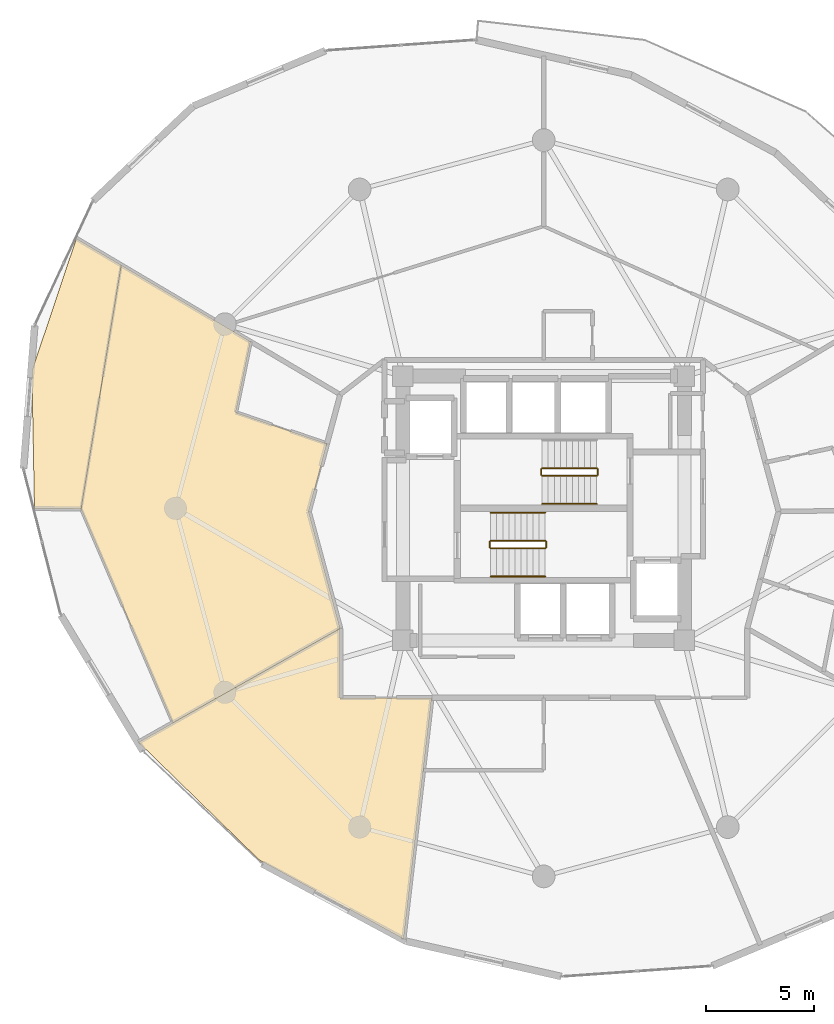
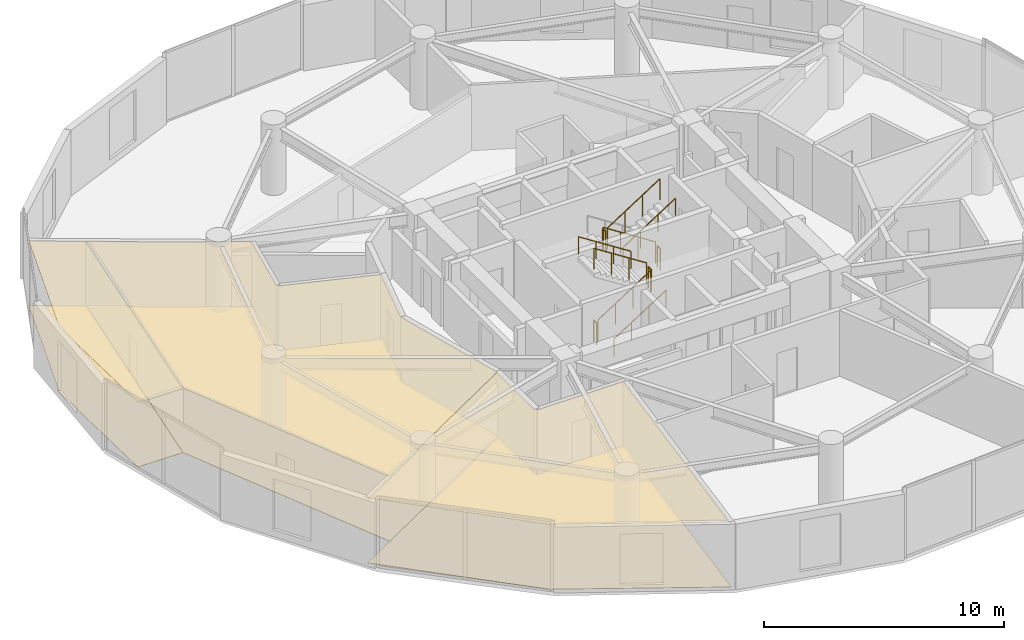
# One storey, part 24 of 25: 11 railings, 6 coverings.
"""IFC4 building model written with IfcOpenShell, lengths in metres."""

from ifc_helpers import new_model, si_unit, direction, frame, origin, origin_2d, place, context, subcontext, project, spatial, polyline, circle, outline, extrude, material, layer, layer_set, type_object, element, save


model = new_model("IFC4")

# Units and contexts
model_context = context("Model", 3, precision=1e-05, world=origin(), true_north=direction((0.0, 1.0)))
body_context = subcontext(model_context, "Body", "Model", "MODEL_VIEW")
ifc_project = project(units=[si_unit("LENGTHUNIT", "METRE"), si_unit("AREAUNIT", "SQUARE_METRE"), si_unit("VOLUMEUNIT", "CUBIC_METRE"), si_unit("PLANEANGLEUNIT", "RADIAN"), si_unit("MASSUNIT", "GRAM", prefix="KILO")], contexts=[model_context])

# Site, building, storey
site_placement = place(None, origin())
site = spatial("IfcSite", under=ifc_project, at=site_placement, CompositionType="ELEMENT")
building_placement = place(site_placement, origin())
building = spatial("IfcBuilding", under=site, at=building_placement, Name="Solvirekh Grand Hotel", CompositionType="ELEMENT")
storey_placement = place(building_placement, frame((0.0, 0.0, 120.60009765625)))
storey = spatial("IfcBuildingStorey", under=building, at=storey_placement, Name="L30", CompositionType="ELEMENT", Elevation=120.60009765625)

# Coverings
ifc_material_1 = material(Name="Acoustic Mineral Ceiling Tile")
ifc_layer_1 = layer(ifc_material_1, 0.02490234375)
ifc_layer_set_1 = layer_set([ifc_layer_1], Name="Acoustic Mineral Ceiling Tile")
covering_type_1 = type_object("IfcCoveringType", Name="Cov_Ceiling_Acoustic", PredefinedType="CEILING", material=ifc_layer_set_1)
covering_1_placement = place(storey_placement, frame((0.0, 0.0, 3.2998046875)))
element("IfcCovering", 1, at=covering_1_placement, inside=storey, type_object=covering_type_1, Name="L30 Executive Suite 3202 Living Room acoustic ceiling", PredefinedType="CEILING", context=body_context, shape_type="SweptSolid", body=[
    extrude(outline(polyline([(-14.218017578125, 4.425048828125), (-13.5380859375, 7.700927734375), (-19.508056640625, 11.23291015625), (-21.362060546875, -0.02587890625), (-17.126953125, -9.908935546875), (-9.39599609375, -5.550048828125), (-10.85009765625, -0.14990234375), (-10.007080078125, 2.98193359375), (-14.218017578125, 4.425048828125)])), origin(), (0.0, 0.0, 1.0), 0.01806640625),
])
covering_2_placement = place(storey_placement, frame((0.0, 0.0, 3.2998046875)))
element("IfcCovering", 2, at=covering_2_placement, inside=storey, type_object=covering_type_1, Name="L30 Executive Suite 3202 Master Bedroom acoustic ceiling", PredefinedType="CEILING", context=body_context, shape_type="SweptSolid", body=[
    extrude(outline(polyline([(-21.5791015625, 12.458984375), (-23.634033203125, 6.3330078125), (-23.514892578125, 0.0), (-21.362060546875, -0.02587890625), (-19.508056640625, 11.23291015625), (-21.5791015625, 12.458984375)])), origin(), (0.0, 0.0, 1.0), 0.01806640625),
])
covering_3_placement = place(storey_placement, frame((0.0, 0.0, 3.2998046875)))
element("IfcCovering", 3, at=covering_3_placement, inside=storey, type_object=covering_type_1, Name="L30 L30 Wellness Hydro Lounge acoustic ceiling", PredefinedType="CEILING", context=body_context, shape_type="SweptSolid", body=[
    extrude(outline(polyline([(-18.7099609375, -10.802001953125), (-13.14404296875, -16.23193359375), (-6.464111328125, -19.89501953125), (-5.16796875, -8.75), (-9.39599609375, -8.75), (-9.39599609375, -5.550048828125), (-18.7099609375, -10.802001953125)])), origin(), (0.0, 0.0, 1.0), 0.01806640625),
])
ifc_material_2 = material(Name="Porcelain Stoneware Flooring", Category="masonry")
ifc_layer_2 = layer(ifc_material_2, 0.030029296875)
ifc_layer_set_2 = layer_set([ifc_layer_2], Name="Porcelain Stoneware Flooring")
covering_type_2 = type_object("IfcCoveringType", Name="Cov_Floor_Stone", PredefinedType="FLOORING", material=ifc_layer_set_2)
covering_4_placement = place(storey_placement, origin())
element("IfcCovering", 4, at=covering_4_placement, inside=storey, type_object=covering_type_2, Name="L30 Executive Suite 3202 Living Room polished granite flooring", PredefinedType="FLOORING", context=body_context, shape_type="SweptSolid", body=[
    extrude(outline(polyline([(-14.218017578125, 4.425048828125), (-13.5380859375, 7.700927734375), (-19.508056640625, 11.23291015625), (-21.362060546875, -0.02587890625), (-17.126953125, -9.908935546875), (-9.39599609375, -5.550048828125), (-10.85009765625, -0.14990234375), (-10.007080078125, 2.98193359375), (-14.218017578125, 4.425048828125)])), origin(), (0.0, 0.0, 1.0), 0.02001953125),
])
covering_5_placement = place(storey_placement, origin())
element("IfcCovering", 5, at=covering_5_placement, inside=storey, type_object=covering_type_2, Name="L30 Executive Suite 3202 Master Bedroom polished granite flooring", PredefinedType="FLOORING", context=body_context, shape_type="SweptSolid", body=[
    extrude(outline(polyline([(-21.5791015625, 12.458984375), (-23.634033203125, 6.3330078125), (-23.514892578125, 0.0), (-21.362060546875, -0.02587890625), (-19.508056640625, 11.23291015625), (-21.5791015625, 12.458984375)])), origin(), (0.0, 0.0, 1.0), 0.02001953125),
])
covering_6_placement = place(storey_placement, origin())
element("IfcCovering", 6, at=covering_6_placement, inside=storey, type_object=covering_type_2, Name="L30 L30 Wellness Hydro Lounge polished granite flooring", PredefinedType="FLOORING", context=body_context, shape_type="SweptSolid", body=[
    extrude(outline(polyline([(-18.7099609375, -10.802001953125), (-13.14404296875, -16.23193359375), (-6.464111328125, -19.89501953125), (-5.16796875, -8.75), (-9.39599609375, -8.75), (-9.39599609375, -5.550048828125), (-18.7099609375, -10.802001953125)])), origin(), (0.0, 0.0, 1.0), 0.02001953125),
])

# Railings
ifc_material_3 = material(Name="Steel S355", Category="steel")
railing_type_1 = type_object("IfcRailingType", Name="Guard_Stair_1100", PredefinedType="GUARDRAIL", material=ifc_material_3)
railing_1_placement = place(storey_placement, frame((-2.449951171875, -1.85009765625, 0.179931640625)))
element("IfcRailing", 7, at=railing_1_placement, inside=storey, type_object=railing_type_1, Name="L30 ST-1 stair guard 1", PredefinedType="GUARDRAIL", context=body_context, shape_type="SweptSolid", body=[
    extrude(circle(Radius=0.02392578125, at=origin_2d()), frame((0.0, 0.0, 1.076171875), z_axis=(0.841199657755, 0.0, 0.540724639528), x_axis=(0.0, 1.0, 0.0)), (0.0, 0.0, 1.0), 2.995849609375),
    extrude(circle(Radius=0.02099609375, at=origin_2d()), origin(), (0.0, 0.0, 1.0), 1.052001953125),
    extrude(circle(Radius=0.02099609375, at=origin_2d()), frame((0.840087890625, 0.0, 0.5400390625)), (0.0, 0.0, 1.0), 1.052001953125),
    extrude(circle(Radius=0.02099609375, at=origin_2d()), frame((1.679931640625, 0.0, 1.079833984375)), (0.0, 0.0, 1.0), 1.052001953125),
    extrude(circle(Radius=0.02099609375, at=origin_2d()), frame((2.52001953125, 0.0, 1.619873046875)), (0.0, 0.0, 1.0), 1.052001953125),
])
railing_2_placement = place(storey_placement, frame((0.1201171875, -1.800048828125, 1.7998046875)))
element("IfcRailing", 8, at=railing_2_placement, inside=storey, type_object=railing_type_1, Name="L30 ST-1 stair guard 2", PredefinedType="GUARDRAIL", context=body_context, shape_type="SweptSolid", body=[
    extrude(circle(Radius=0.02392578125, at=origin_2d()), frame((0.0, 0.0, 1.076171875), z_axis=(0.0, 1.0, 0.0), x_axis=(-1.0, 0.0, 0.0)), (0.0, 0.0, 1.0), 0.25),
    extrude(circle(Radius=0.02099609375, at=origin_2d()), origin(), (0.0, 0.0, 1.0), 1.052001953125),
    extrude(circle(Radius=0.02099609375, at=origin_2d()), frame((0.0, 0.25, 0.0)), (0.0, 0.0, 1.0), 1.052001953125),
])
railing_3_placement = place(storey_placement, frame((0.070068359375, -1.5, 1.97998046875)))
element("IfcRailing", 9, at=railing_3_placement, inside=storey, type_object=railing_type_1, Name="L30 ST-1 stair guard 3", PredefinedType="GUARDRAIL", context=body_context, shape_type="SweptSolid", body=[
    extrude(circle(Radius=0.02392578125, at=origin_2d()), frame((0.0, 0.0, 1.076171875), z_axis=(-0.841199657755, 0.0, 0.540724639528), x_axis=(0.0, -1.0, 0.0)), (0.0, 0.0, 1.0), 2.995849609375),
    extrude(circle(Radius=0.02099609375, at=origin_2d()), origin(), (0.0, 0.0, 1.0), 1.052001953125),
    extrude(circle(Radius=0.02099609375, at=origin_2d()), frame((-0.840087890625, 0.0, 0.5400390625)), (0.0, 0.0, 1.0), 1.052001953125),
    extrude(circle(Radius=0.02099609375, at=origin_2d()), frame((-1.679931640625, 0.0, 1.079833984375)), (0.0, 0.0, 1.0), 1.052001953125),
    extrude(circle(Radius=0.02099609375, at=origin_2d()), frame((-2.52001953125, 0.0, 1.619873046875)), (0.0, 0.0, 1.0), 1.052001953125),
])
railing_4_placement = place(storey_placement, frame((-2.5, -1.800048828125, 0.0)))
element("IfcRailing", 10, at=railing_4_placement, inside=storey, type_object=railing_type_1, Name="L30 ST-1 stair guard 4", PredefinedType="GUARDRAIL", context=body_context, shape_type="SweptSolid", body=[
    extrude(circle(Radius=0.02392578125, at=origin_2d()), frame((0.0, 0.0, 1.076171875), z_axis=(0.0, 1.0, 0.0), x_axis=(-1.0, 0.0, 0.0)), (0.0, 0.0, 1.0), 0.25),
    extrude(circle(Radius=0.02099609375, at=origin_2d()), origin(), (0.0, 0.0, 1.0), 1.052001953125),
    extrude(circle(Radius=0.02099609375, at=origin_2d()), frame((0.0, 0.25, 0.0)), (0.0, 0.0, 1.0), 1.052001953125),
])
railing_5_placement = place(storey_placement, frame((2.449951171875, 1.85009765625, 0.179931640625)))
element("IfcRailing", 11, at=railing_5_placement, inside=storey, type_object=railing_type_1, Name="L30 ST-2 stair guard 1", PredefinedType="GUARDRAIL", context=body_context, shape_type="SweptSolid", body=[
    extrude(circle(Radius=0.02392578125, at=origin_2d()), frame((0.0, 0.0, 1.076171875), z_axis=(-0.841199657755, 0.0, 0.540724639528), x_axis=(0.0, -1.0, 0.0)), (0.0, 0.0, 1.0), 2.995849609375),
    extrude(circle(Radius=0.02099609375, at=origin_2d()), origin(), (0.0, 0.0, 1.0), 1.052001953125),
    extrude(circle(Radius=0.02099609375, at=origin_2d()), frame((-0.840087890625, 0.0, 0.5400390625)), (0.0, 0.0, 1.0), 1.052001953125),
    extrude(circle(Radius=0.02099609375, at=origin_2d()), frame((-1.679931640625, 0.0, 1.079833984375)), (0.0, 0.0, 1.0), 1.052001953125),
    extrude(circle(Radius=0.02099609375, at=origin_2d()), frame((-2.52001953125, 0.0, 1.619873046875)), (0.0, 0.0, 1.0), 1.052001953125),
])
railing_6_placement = place(storey_placement, frame((-0.1201171875, 1.800048828125, 1.7998046875)))
element("IfcRailing", 12, at=railing_6_placement, inside=storey, type_object=railing_type_1, Name="L30 ST-2 stair guard 2", PredefinedType="GUARDRAIL", context=body_context, shape_type="SweptSolid", body=[
    extrude(circle(Radius=0.02392578125, at=origin_2d()), frame((0.0, 0.0, 1.076171875), z_axis=(0.0, -1.0, 0.0), x_axis=(1.0, 0.0, 0.0)), (0.0, 0.0, 1.0), 0.25),
    extrude(circle(Radius=0.02099609375, at=origin_2d()), origin(), (0.0, 0.0, 1.0), 1.052001953125),
    extrude(circle(Radius=0.02099609375, at=origin_2d()), frame((0.0, -0.25, 0.0)), (0.0, 0.0, 1.0), 1.052001953125),
])
railing_7_placement = place(storey_placement, frame((-0.070068359375, 1.5, 1.97998046875)))
element("IfcRailing", 13, at=railing_7_placement, inside=storey, type_object=railing_type_1, Name="L30 ST-2 stair guard 3", PredefinedType="GUARDRAIL", context=body_context, shape_type="SweptSolid", body=[
    extrude(circle(Radius=0.02392578125, at=origin_2d()), frame((0.0, 0.0, 1.076171875), z_axis=(0.841199657755, 0.0, 0.540724639528), x_axis=(0.0, 1.0, 0.0)), (0.0, 0.0, 1.0), 2.995849609375),
    extrude(circle(Radius=0.02099609375, at=origin_2d()), origin(), (0.0, 0.0, 1.0), 1.052001953125),
    extrude(circle(Radius=0.02099609375, at=origin_2d()), frame((0.840087890625, 0.0, 0.5400390625)), (0.0, 0.0, 1.0), 1.052001953125),
    extrude(circle(Radius=0.02099609375, at=origin_2d()), frame((1.679931640625, 0.0, 1.079833984375)), (0.0, 0.0, 1.0), 1.052001953125),
    extrude(circle(Radius=0.02099609375, at=origin_2d()), frame((2.52001953125, 0.0, 1.619873046875)), (0.0, 0.0, 1.0), 1.052001953125),
])
railing_8_placement = place(storey_placement, frame((2.5, 1.800048828125, 0.0)))
element("IfcRailing", 14, at=railing_8_placement, inside=storey, type_object=railing_type_1, Name="L30 ST-2 stair guard 4", PredefinedType="GUARDRAIL", context=body_context, shape_type="SweptSolid", body=[
    extrude(circle(Radius=0.02392578125, at=origin_2d()), frame((0.0, 0.0, 1.076171875), z_axis=(0.0, -1.0, 0.0), x_axis=(1.0, 0.0, 0.0)), (0.0, 0.0, 1.0), 0.25),
    extrude(circle(Radius=0.02099609375, at=origin_2d()), origin(), (0.0, 0.0, 1.0), 1.052001953125),
    extrude(circle(Radius=0.02099609375, at=origin_2d()), frame((0.0, -0.25, 0.0)), (0.0, 0.0, 1.0), 1.052001953125),
])
ifc_material_4 = material(Name="Anodized Bronze Aluminium 6063-T6", Category="aluminium")
railing_type_2 = type_object("IfcRailingType", Name="Handrail_Wall_900", PredefinedType="HANDRAIL", material=ifc_material_4)
railing_9_placement = place(storey_placement, frame((-2.449951171875, -3.14990234375, 0.179931640625)))
element("IfcRailing", 15, at=railing_9_placement, inside=storey, type_object=railing_type_2, Name="L30 ST-1 stair handrail 1", PredefinedType="HANDRAIL", context=body_context, shape_type="SweptSolid", body=[
    extrude(circle(Radius=0.02392578125, at=origin_2d()), frame((0.0, 0.0, 0.8759765625), z_axis=(0.841199657755, 0.0, 0.540724639528), x_axis=(0.0, 1.0, 0.0)), (0.0, 0.0, 1.0), 2.995849609375),
    extrude(circle(Radius=0.02099609375, at=origin_2d()), origin(), (0.0, 0.0, 1.0), 0.851806640625),
    extrude(circle(Radius=0.02099609375, at=origin_2d()), frame((0.840087890625, 0.0, 0.5400390625)), (0.0, 0.0, 1.0), 0.851806640625),
    extrude(circle(Radius=0.02099609375, at=origin_2d()), frame((1.679931640625, 0.0, 1.079833984375)), (0.0, 0.0, 1.0), 0.851806640625),
    extrude(circle(Radius=0.02099609375, at=origin_2d()), frame((2.52001953125, 0.0, 1.619873046875)), (0.0, 0.0, 1.0), 0.851806640625),
])
railing_10_placement = place(storey_placement, frame((0.070068359375, -0.199951171875, 1.97998046875)))
element("IfcRailing", 16, at=railing_10_placement, inside=storey, type_object=railing_type_2, Name="L30 ST-1 stair handrail 2", PredefinedType="HANDRAIL", context=body_context, shape_type="SweptSolid", body=[
    extrude(circle(Radius=0.02392578125, at=origin_2d()), frame((0.0, 0.0, 0.8759765625), z_axis=(-0.841199657755, 0.0, 0.540724639528), x_axis=(0.0, -1.0, 0.0)), (0.0, 0.0, 1.0), 2.995849609375),
    extrude(circle(Radius=0.02099609375, at=origin_2d()), origin(), (0.0, 0.0, 1.0), 0.851806640625),
    extrude(circle(Radius=0.02099609375, at=origin_2d()), frame((-0.840087890625, 0.0, 0.5400390625)), (0.0, 0.0, 1.0), 0.851806640625),
    extrude(circle(Radius=0.02099609375, at=origin_2d()), frame((-1.679931640625, 0.0, 1.079833984375)), (0.0, 0.0, 1.0), 0.851806640625),
    extrude(circle(Radius=0.02099609375, at=origin_2d()), frame((-2.52001953125, 0.0, 1.619873046875)), (0.0, 0.0, 1.0), 0.851806640625),
])
railing_11_placement = place(storey_placement, frame((-0.070068359375, 0.199951171875, 1.97998046875)))
element("IfcRailing", 17, at=railing_11_placement, inside=storey, type_object=railing_type_2, Name="L30 ST-2 stair handrail 2", PredefinedType="HANDRAIL", context=body_context, shape_type="SweptSolid", body=[
    extrude(circle(Radius=0.02392578125, at=origin_2d()), frame((0.0, 0.0, 0.8759765625), z_axis=(0.841199657755, 0.0, 0.540724639528), x_axis=(0.0, 1.0, 0.0)), (0.0, 0.0, 1.0), 2.995849609375),
    extrude(circle(Radius=0.02099609375, at=origin_2d()), origin(), (0.0, 0.0, 1.0), 0.851806640625),
    extrude(circle(Radius=0.02099609375, at=origin_2d()), frame((0.840087890625, 0.0, 0.5400390625)), (0.0, 0.0, 1.0), 0.851806640625),
    extrude(circle(Radius=0.02099609375, at=origin_2d()), frame((1.679931640625, 0.0, 1.079833984375)), (0.0, 0.0, 1.0), 0.851806640625),
    extrude(circle(Radius=0.02099609375, at=origin_2d()), frame((2.52001953125, 0.0, 1.619873046875)), (0.0, 0.0, 1.0), 0.851806640625),
])

save(model, "model.ifc")
